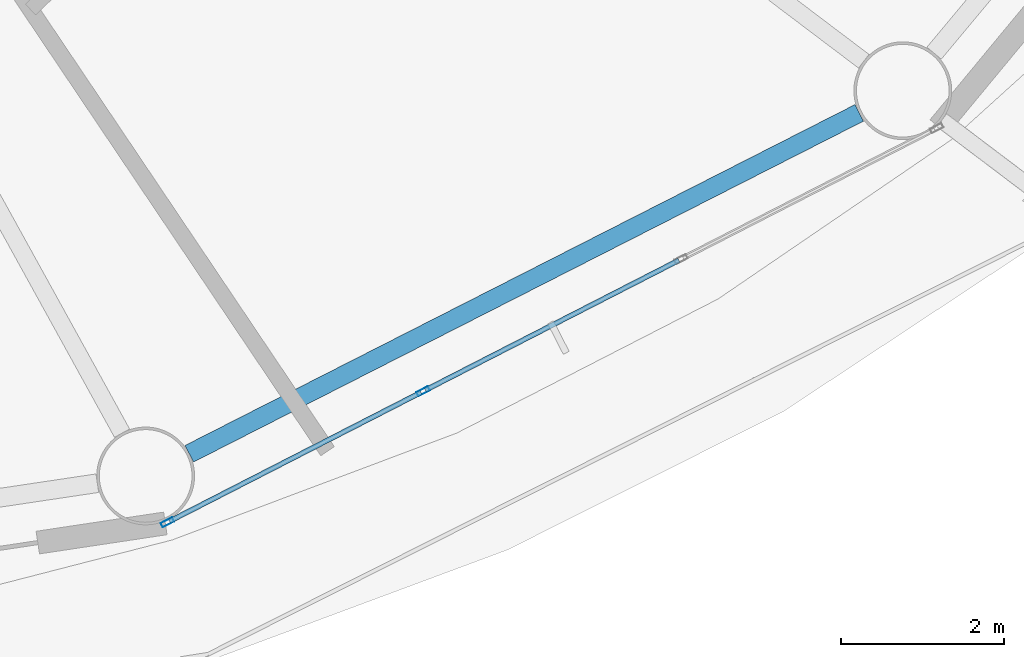
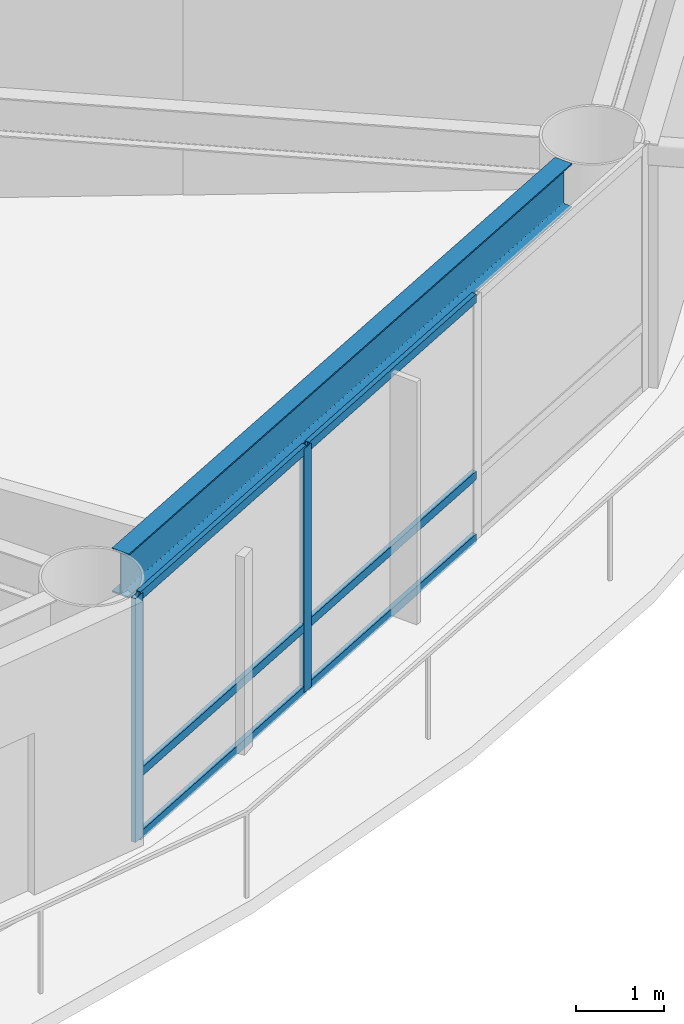
# One storey, part 4 of 24: 8 members, 1 beam, 1 element without a shape of its own.
"""IFC4 building model written with IfcOpenShell, lengths in metres."""

from ifc_helpers import new_model, si_unit, direction, frame, origin, origin_2d, place, context, subcontext, project, spatial, hollow_rectangle, i_section, extrude, material, layer, layer_set, material_profile, profile_set, type_object, element, aggregate, save


model = new_model("IFC4")

# Units and contexts
model_context = context("Model", 3, precision=1e-05, world=origin(), true_north=direction((0.0, 1.0)))
body_context = subcontext(model_context, "Body", "Model", "MODEL_VIEW")
ifc_project = project(units=[si_unit("LENGTHUNIT", "METRE"), si_unit("AREAUNIT", "SQUARE_METRE"), si_unit("VOLUMEUNIT", "CUBIC_METRE"), si_unit("PLANEANGLEUNIT", "RADIAN"), si_unit("MASSUNIT", "GRAM", prefix="KILO")], contexts=[model_context])

# Site, building, storey
site_placement = place(None, origin())
site = spatial("IfcSite", under=ifc_project, at=site_placement, CompositionType="ELEMENT")
building_placement = place(site_placement, origin())
building = spatial("IfcBuilding", under=site, at=building_placement, Name="Sarneth Arch Tower", CompositionType="ELEMENT")
storey_placement = place(building_placement, frame((0.0, 0.0, 109.199951171875)))
storey = spatial("IfcBuildingStorey", under=building, at=storey_placement, Name="L27", CompositionType="ELEMENT", Elevation=109.199951171875)

# Beam
ifc_material_1 = material(Name="Steel S355", Category="steel")
ifc_material_profile_1 = material_profile(ifc_material_1, i_section(OverallWidth=0.22900390625, OverallDepth=0.612060546875, WebThickness=0.011962890625, FlangeThickness=0.01953125, FilletRadius=0.01904296875, at=origin_2d()), Name="W610x125")
ifc_profile_set_1 = profile_set([ifc_material_profile_1], Name="Steel S355")
beam_type = type_object("IfcBeamType", Name="BM-SPAN-610C", PredefinedType="SPANDREL", material=ifc_profile_set_1)
beam_placement = place(storey_placement, frame((59.64501953125, 22.131591796875, 3.073974609375), z_axis=(0.891259443414, 0.453493775619, 0.0), x_axis=(-0.453493775619, 0.891259443414, 0.0)))
element("IfcBeam", 1, at=beam_placement, inside=storey, type_object=beam_type, Name="L27 Perimeter spandrel beam 14", PredefinedType="SPANDREL", context=body_context, shape_type="SweptSolid", body=[
    extrude(i_section(OverallWidth=0.22900390625, OverallDepth=0.612060546875, WebThickness=0.011962890625, FlangeThickness=0.01953125, FilletRadius=0.01904296875, at=origin_2d()), origin(), (0.0, 0.0, 1.0), 9.220458984375),
])

# Curtain wall, members
ifc_material_2 = material(Name="Anodised aluminium Type AA25 and solar-control low-e laminated IGU", Category="aluminium")
ifc_layer = layer(ifc_material_2, 0.159912109375)
ifc_layer_set = layer_set([ifc_layer], Name="Anodised aluminium Type AA25 and solar-control low-e laminated IGU")
curtain_wall_type = type_object("IfcCurtainWallType", Name="CW-HOTEL-MID", PredefinedType="NOTDEFINED", material=ifc_layer_set)
curtain_wall_placement = place(storey_placement, origin())
curtain_wall = element("IfcCurtainWall", 2, at=curtain_wall_placement, inside=storey, type_object=curtain_wall_type, Name="L27 Unitised curtain wall facet 14", PredefinedType="NOTDEFINED")
ifc_material_3 = material(Name="Anodised Aluminium 6063-T6", Category="aluminium")
ifc_material_profile_2 = material_profile(ifc_material_3, hollow_rectangle(XDim=0.06005859375, YDim=0.159912109375, WallThickness=0.00390625, at=origin_2d()), Name="AL-MULL-160x60x4")
ifc_profile_set_2 = profile_set([ifc_material_profile_2], Name="Anodised Aluminium 6063-T6")
member_type_1 = type_object("IfcMemberType", Name="CW-MULLION", PredefinedType="MULLION", material=ifc_profile_set_2)
member_1_placement = place(storey_placement, frame((59.3779296875, 21.291015625, 0.0), z_axis=(0.0, 0.0, 1.0), x_axis=(-0.456031365356, 0.889963703649, 0.0)))
member_1 = element("IfcMember", 3, at=member_1_placement, type_object=member_type_1, Name="CW-SYS-4 mullion 1", PredefinedType="MULLION", context=body_context, shape_type="SweptSolid", body=[
    extrude(hollow_rectangle(XDim=0.06005859375, YDim=0.159912109375, WallThickness=0.00390625, at=origin_2d()), origin(), (0.0, 0.0, 1.0), 3.380126953125),
])
member_2_placement = place(storey_placement, frame((62.51416015625, 22.898193359375, 0.0), z_axis=(0.0, 0.0, 1.0), x_axis=(-0.456031365356, 0.889963703649, 0.0)))
member_2 = element("IfcMember", 4, at=member_2_placement, type_object=member_type_1, Name="CW-SYS-4 mullion 2", PredefinedType="MULLION", context=body_context, shape_type="SweptSolid", body=[
    extrude(hollow_rectangle(XDim=0.06005859375, YDim=0.159912109375, WallThickness=0.00390625, at=origin_2d()), origin(), (0.0, 0.0, 1.0), 3.380126953125),
])
ifc_material_4 = material(Name="Anodised Aluminium 6063-T6", Category="aluminium")
ifc_material_profile_3 = material_profile(ifc_material_4, hollow_rectangle(XDim=0.06005859375, YDim=0.1201171875, WallThickness=0.00390625, at=origin_2d()), Name="AL-TRAN-120x60x4")
ifc_profile_set_3 = profile_set([ifc_material_profile_3], Name="Anodised Aluminium 6063-T6")
member_type_2 = type_object("IfcMemberType", Name="CW-TRANSOM", PredefinedType="USERDEFINED", material=ifc_profile_set_3)
member_3_placement = place(storey_placement, frame((59.404541015625, 21.3046875, 0.030029296875), z_axis=(0.889957563627, 0.456043347658, 0.0), x_axis=(-0.456043347658, 0.889957563627, 0.0)))
member_3 = element("IfcMember", 5, at=member_3_placement, type_object=member_type_2, Name="CW-SYS-4 transom 1.1", ObjectType="TRANSOM", PredefinedType="USERDEFINED", context=body_context, shape_type="SweptSolid", body=[
    extrude(hollow_rectangle(XDim=0.06005859375, YDim=0.1201171875, WallThickness=0.00390625, at=origin_2d()), origin(), (0.0, 0.0, 1.0), 3.464111328125),
])
member_4_placement = place(storey_placement, frame((59.404541015625, 21.3046875, 0.900146484375), z_axis=(0.889957563627, 0.456043347658, 0.0), x_axis=(-0.456043347658, 0.889957563627, 0.0)))
member_4 = element("IfcMember", 6, at=member_4_placement, type_object=member_type_2, Name="CW-SYS-4 transom 1.2", ObjectType="TRANSOM", PredefinedType="USERDEFINED", context=body_context, shape_type="SweptSolid", body=[
    extrude(hollow_rectangle(XDim=0.06005859375, YDim=0.1201171875, WallThickness=0.00390625, at=origin_2d()), origin(), (0.0, 0.0, 1.0), 3.464111328125),
])
member_5_placement = place(storey_placement, frame((59.404541015625, 21.3046875, 3.35009765625), z_axis=(0.889957563627, 0.456043347658, 0.0), x_axis=(-0.456043347658, 0.889957563627, 0.0)))
member_5 = element("IfcMember", 7, at=member_5_placement, type_object=member_type_2, Name="CW-SYS-4 transom 1.3", ObjectType="TRANSOM", PredefinedType="USERDEFINED", context=body_context, shape_type="SweptSolid", body=[
    extrude(hollow_rectangle(XDim=0.06005859375, YDim=0.1201171875, WallThickness=0.00390625, at=origin_2d()), origin(), (0.0, 0.0, 1.0), 3.464111328125),
])
member_6_placement = place(storey_placement, frame((62.540771484375, 22.911865234375, 0.030029296875), z_axis=(0.889981813856, 0.455996020823, 0.0), x_axis=(-0.455996020823, 0.889981813856, 0.0)))
member_6 = element("IfcMember", 8, at=member_6_placement, type_object=member_type_2, Name="CW-SYS-4 transom 2.1", ObjectType="TRANSOM", PredefinedType="USERDEFINED", context=body_context, shape_type="SweptSolid", body=[
    extrude(hollow_rectangle(XDim=0.06005859375, YDim=0.1201171875, WallThickness=0.00390625, at=origin_2d()), origin(), (0.0, 0.0, 1.0), 3.494140625),
])
member_7_placement = place(storey_placement, frame((62.540771484375, 22.911865234375, 0.900146484375), z_axis=(0.889981813856, 0.455996020823, 0.0), x_axis=(-0.455996020823, 0.889981813856, 0.0)))
member_7 = element("IfcMember", 9, at=member_7_placement, type_object=member_type_2, Name="CW-SYS-4 transom 2.2", ObjectType="TRANSOM", PredefinedType="USERDEFINED", context=body_context, shape_type="SweptSolid", body=[
    extrude(hollow_rectangle(XDim=0.06005859375, YDim=0.1201171875, WallThickness=0.00390625, at=origin_2d()), origin(), (0.0, 0.0, 1.0), 3.494140625),
])
member_8_placement = place(storey_placement, frame((62.540771484375, 22.911865234375, 3.35009765625), z_axis=(0.889981813856, 0.455996020823, 0.0), x_axis=(-0.455996020823, 0.889981813856, 0.0)))
member_8 = element("IfcMember", 10, at=member_8_placement, type_object=member_type_2, Name="CW-SYS-4 transom 2.3", ObjectType="TRANSOM", PredefinedType="USERDEFINED", context=body_context, shape_type="SweptSolid", body=[
    extrude(hollow_rectangle(XDim=0.06005859375, YDim=0.1201171875, WallThickness=0.00390625, at=origin_2d()), origin(), (0.0, 0.0, 1.0), 3.494140625),
])
aggregate(curtain_wall, [member_1, member_2, member_3, member_4, member_5, member_6, member_7, member_8])

save(model, "model.ifc")
